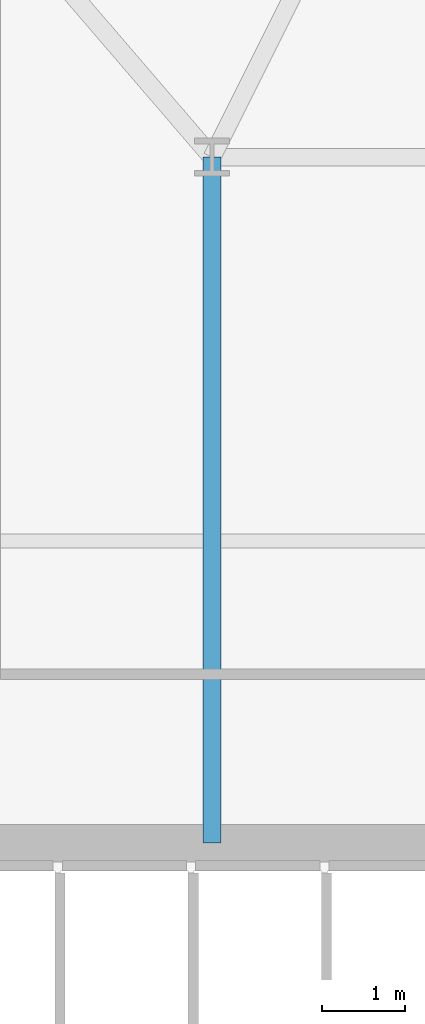
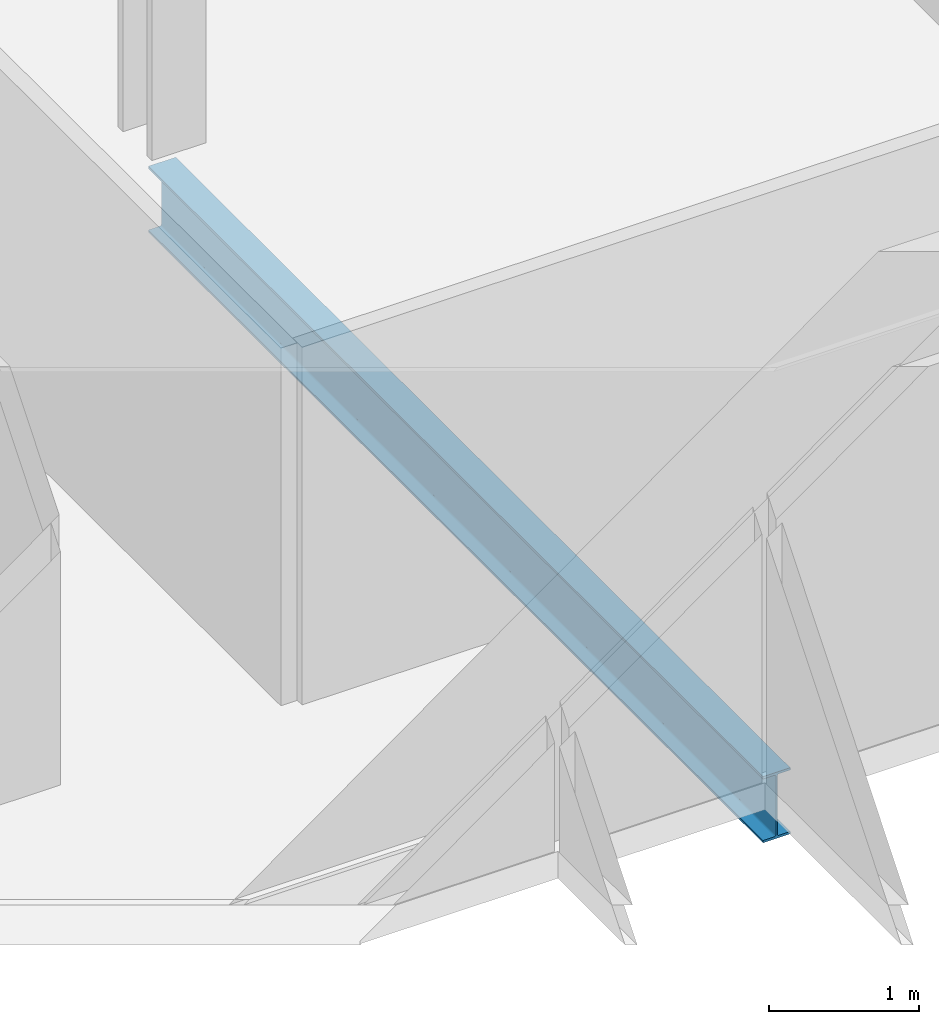
# One storey, part 6 of 32: 1 beam.
"""IFC4 building model written with IfcOpenShell, lengths in metres."""

from ifc_helpers import new_model, si_unit, direction, frame, origin, origin_2d, place, context, subcontext, project, spatial, i_section, extrude, material, material_profile, profile_set, type_object, element, save


model = new_model("IFC4")

# Units and contexts
model_context = context("Model", 3, precision=1e-05, world=origin(), true_north=direction((0.0, 1.0)))
body_context = subcontext(model_context, "Body", "Model", "MODEL_VIEW")
ifc_project = project(units=[si_unit("LENGTHUNIT", "METRE"), si_unit("AREAUNIT", "SQUARE_METRE"), si_unit("VOLUMEUNIT", "CUBIC_METRE"), si_unit("PLANEANGLEUNIT", "RADIAN"), si_unit("MASSUNIT", "GRAM", prefix="KILO")], contexts=[model_context])

# Site, building, storey
site_placement = place(None, origin())
site = spatial("IfcSite", under=ifc_project, at=site_placement, CompositionType="ELEMENT")
building_placement = place(site_placement, origin())
building = spatial("IfcBuilding", under=site, at=building_placement, Name="Ndaravel Arena Tower", CompositionType="ELEMENT")
storey_placement = place(building_placement, frame((0.0, 0.0, 77.800048828125)))
storey = spatial("IfcBuildingStorey", under=building, at=storey_placement, Name="L17", CompositionType="ELEMENT", Elevation=77.800048828125)

# Beam
ifc_material = material(Name="Steel S355", Category="steel")
ifc_material_profile = material_profile(ifc_material, i_section(OverallWidth=0.210693359375, OverallDepth=0.53955078125, WebThickness=0.01171875, FlangeThickness=0.018798828125, FilletRadius=0.0126953125, at=origin_2d()), Name="UB 533x210x109")
ifc_profile_set = profile_set([ifc_material_profile], Name="Steel S355")
beam_type = type_object("IfcBeamType", Name="BM-GIRD-UB533", PredefinedType="BEAM", material=ifc_profile_set)
beam_placement = place(storey_placement, frame((34.199951171875, 14.97998046875, -0.48974609375), z_axis=(0.0, 1.0, 0.0), x_axis=(-1.0, 0.0, 0.0)))
element("IfcBeam", 1, at=beam_placement, inside=storey, type_object=beam_type, Name="L17 Spine Link Girder SLG-01", PredefinedType="BEAM", context=body_context, shape_type="SweptSolid", body=[
    extrude(i_section(OverallWidth=0.210693359375, OverallDepth=0.53955078125, WebThickness=0.01171875, FlangeThickness=0.018798828125, FilletRadius=0.0126953125, at=origin_2d()), origin(), (0.0, 0.0, 1.0), 8.219970703125),
])

save(model, "model.ifc")
